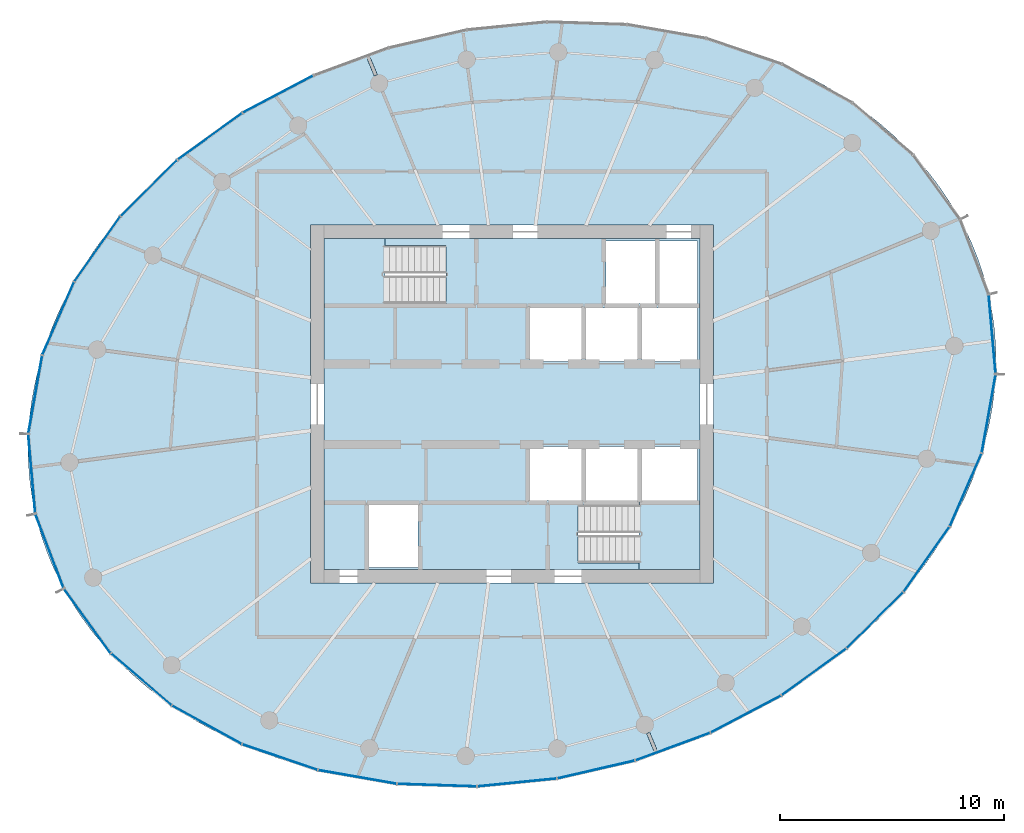
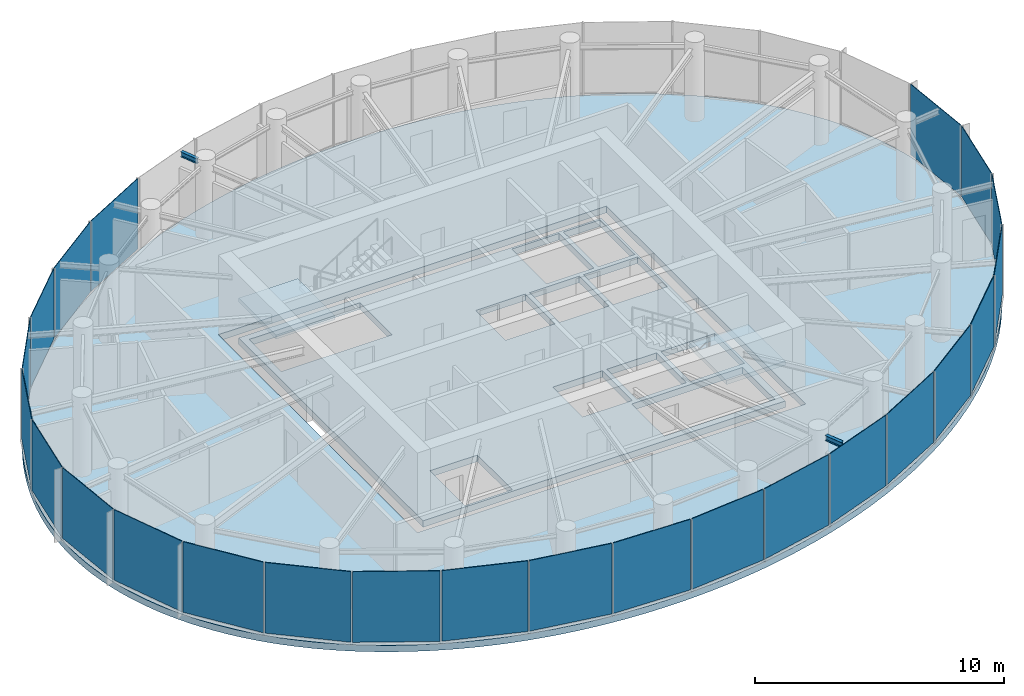
# One storey, part 7 of 13: 24 plates, 4 slabs, 2 beams, 7 elements without a shape of their own.
"""IFC4 building model written with IfcOpenShell, lengths in metres."""

from ifc_helpers import new_model, si_unit, direction, frame, origin, origin_2d, place, context, subcontext, project, spatial, line, indexed_curve, rectangle, i_section, outline, extrude, source, transform, mapped, material, layer, layer_set, material_profile, profile_set, type_object, element, aggregate, save


model = new_model("IFC4")

# Units and contexts
model_context = context("Model", 3, precision=1e-05, world=origin(), true_north=direction((0.0, 1.0)))
body_context = subcontext(model_context, "Body", "Model", "MODEL_VIEW")
ifc_project = project(units=[si_unit("LENGTHUNIT", "METRE"), si_unit("AREAUNIT", "SQUARE_METRE"), si_unit("VOLUMEUNIT", "CUBIC_METRE"), si_unit("PLANEANGLEUNIT", "RADIAN"), si_unit("MASSUNIT", "GRAM", prefix="KILO")], contexts=[model_context])

# Site, building, storey
site_placement = place(None, origin())
site = spatial("IfcSite", under=ifc_project, at=site_placement, CompositionType="ELEMENT")
building_placement = place(site_placement, origin())
building = spatial("IfcBuilding", under=site, at=building_placement, Name="Spindrift Exchange Tower", CompositionType="ELEMENT")
storey_placement = place(building_placement, frame((0.0, 0.0, 261.800048828125)))
storey = spatial("IfcBuildingStorey", under=building, at=storey_placement, Name="L64", CompositionType="ELEMENT", Elevation=261.800048828125)

# Beams
ifc_material_1 = material(Name="Steel Grade 300", Category="steel")
ifc_material_profile = material_profile(ifc_material_1, i_section(OverallWidth=0.14599609375, OverallDepth=0.251953125, WebThickness=0.006103515625, FlangeThickness=0.008544921875, FilletRadius=0.011962890625, at=origin_2d()), Name="250UB31.4")
ifc_profile_set = profile_set([ifc_material_profile], Name="Steel Grade 300")
beam_type = type_object("IfcBeamType", Name="Cantilever Beam 250UB31.4 Steel Grade 300", PredefinedType="BEAM", material=ifc_profile_set)
shared_shape_1 = source(origin(), body_context, "Body", "SweptSolid", [
    extrude(i_section(OverallWidth=0.14599609375, OverallDepth=0.251953125, WebThickness=0.006103515625, FlangeThickness=0.008544921875, FilletRadius=0.011962890625, at=origin_2d()), origin(), (0.0, 0.0, 1.0), 0.82373046875),
])
for number, where, z_axis, x_axis, name in (
    (1, (45.917236328125, 62.68505859375, 3.453857421875), (-0.382657203083, 0.923890396599, 0.0), (-0.923890396599, -0.382657203083, 0.0), "L64 cantilever beam R08T"),
    (2, (58.082763671875, 33.31494140625, 3.453857421875), (0.382657203083, -0.923890396599, 0.0), (0.923890396599, 0.382657203083, 0.0), "L64 cantilever beam R20T"),
):
    element("IfcBeam", number, at=place(storey_placement, frame(where, z_axis=z_axis, x_axis=x_axis)), inside=storey, type_object=beam_type, Name=name, PredefinedType="BEAM", context=body_context, shape_type="MappedRepresentation", body=[
        mapped(shared_shape_1, transform((0.0, 0.0, 0.0), scale=1.0)),
    ])

# Slabs
ifc_material_2 = material(Name="Concrete 40 MPa", Category="concrete")
ifc_layer_1 = layer(ifc_material_2, 0.320068359375)
ifc_layer_set_1 = layer_set([ifc_layer_1], Name="RC Floor Slab 320 Concrete 40 MPa")
slab_type_1 = type_object("IfcSlabType", Name="RC Floor Slab 320 Concrete 40 MPa", PredefinedType="FLOOR", material=ifc_layer_set_1)
slab_1_placement = place(storey_placement, frame((0.0, 0.0, -0.320068359375)))
element("IfcSlab", 3, at=slab_1_placement, inside=storey, type_object=slab_type_1, Name="Floor slab L64", PredefinedType="FLOOR", context=body_context, shape_type="SweptSolid", body=[
    extrude(outline(indexed_curve([(73.302978515625, 52.900390625), (73.222900390625, 53.229736328125), (73.03662109375, 53.881591796875), (72.81640625, 54.5224609375), (72.5634765625, 55.1513671875), (72.4248046875, 55.460693359375), (72.12451171875, 56.068115234375), (71.793701171875, 56.659912109375), (71.617431640625, 56.949462890625), (71.244140625, 57.51513671875), (70.843994140625, 58.062255859375), (70.63427734375, 58.32861328125), (70.197021484375, 58.84619140625), (69.736572265625, 59.34375), (69.498046875, 59.584716796875), (69.006103515625, 60.05078125), (68.49462890625, 60.495849609375), (68.232421875, 60.710205078125), (67.694580078125, 61.123046875), (67.14111328125, 61.514404296875), (66.85888671875, 61.701904296875), (66.2841796875, 62.06103515625), (65.99169921875, 62.232666015625), (65.398193359375, 62.56005859375), (64.79345703125, 62.8662109375), (64.4873046875, 63.011474609375), (64.1787109375, 63.151611328125), (63.5546875, 63.416259765625), (63.239501953125, 63.541015625), (62.603271484375, 63.775146484375), (61.960205078125, 63.989501953125), (61.63623046875, 64.089111328125), (61.31103515625, 64.18408203125), (60.656005859375, 64.359130859375), (59.6650390625, 64.586181640625), (58.665283203125, 64.770751953125), (57.65869140625, 64.9140625), (56.647216796875, 65.016845703125), (55.63232421875, 65.079833984375), (54.61572265625, 65.103759765625), (53.59912109375, 65.08935546875), (52.583740234375, 65.037109375), (51.571044921875, 64.94775390625), (50.56201171875, 64.82177734375), (49.892333984375, 64.71728515625), (49.22509765625, 64.59716796875), (48.23046875, 64.386962890625), (47.24365234375, 64.141357421875), (46.591064453125, 63.9580078125), (45.943115234375, 63.75927734375), (44.98046875, 63.431884765625), (44.030517578125, 63.069580078125), (43.09423828125, 62.6728515625), (42.173583984375, 62.24169921875), (41.269775390625, 61.77587890625), (40.384521484375, 61.27587890625), (39.51953125, 60.741455078125), (38.6767578125, 60.172607421875), (37.858154296875, 59.569580078125), (37.065673828125, 58.9326171875), (36.302001953125, 58.261474609375), (36.05419921875, 58.0302734375), (35.5693359375, 57.556396484375), (35.099609375, 57.06787109375), (34.87060546875, 56.81787109375), (34.425048828125, 56.30712890625), (34.208740234375, 56.046142578125), (33.99658203125, 55.78173828125), (33.58642578125, 55.2421875), (33.195556640625, 54.6884765625), (33.007568359375, 54.40625), (32.6474609375, 53.83203125), (32.4755859375, 53.5400390625), (32.148681640625, 52.9462890625), (31.845458984375, 52.33984375), (31.703125, 52.0322265625), (31.437744140625, 51.40869140625), (31.19873046875, 50.7744140625), (31.089599609375, 50.45361328125), (30.892822265625, 49.804931640625), (30.805419921875, 49.477294921875), (30.653564453125, 48.81689453125), (30.53271484375, 48.14990234375), (30.44384765625, 47.477783203125), (30.411865234375, 47.140380859375), (30.373046875, 46.4638671875), (30.3681640625, 45.7861328125), (30.378662109375, 45.447265625), (30.42578125, 44.77099609375), (30.462646484375, 44.43408203125), (30.562255859375, 43.763916015625), (30.697021484375, 43.099609375), (30.777099609375, 42.770263671875), (30.96337890625, 42.118408203125), (31.18359375, 41.4775390625), (31.4365234375, 40.8486328125), (31.5751953125, 40.539306640625), (31.87548828125, 39.931884765625), (32.206298828125, 39.340087890625), (32.382568359375, 39.050537109375), (32.755859375, 38.48486328125), (33.156005859375, 37.937744140625), (33.36572265625, 37.67138671875), (33.802978515625, 37.15380859375), (34.263427734375, 36.65625), (34.501953125, 36.415283203125), (34.993896484375, 35.94921875), (35.50537109375, 35.504150390625), (35.767578125, 35.289794921875), (36.305419921875, 34.876953125), (36.85888671875, 34.485595703125), (37.14111328125, 34.298095703125), (37.7158203125, 33.93896484375), (38.00830078125, 33.767333984375), (38.601806640625, 33.43994140625), (39.20654296875, 33.1337890625), (39.5126953125, 32.988525390625), (39.8212890625, 32.848388671875), (40.4453125, 32.583740234375), (40.760498046875, 32.458984375), (41.396728515625, 32.224853515625), (42.039794921875, 32.010498046875), (42.36376953125, 31.910888671875), (42.68896484375, 31.81591796875), (43.343994140625, 31.640869140625), (44.3349609375, 31.413818359375), (45.334716796875, 31.229248046875), (46.34130859375, 31.0859375), (47.352783203125, 30.983154296875), (48.36767578125, 30.920166015625), (49.38427734375, 30.896240234375), (50.40087890625, 30.91064453125), (51.416259765625, 30.962890625), (52.428955078125, 31.05224609375), (53.43798828125, 31.17822265625), (54.107666015625, 31.28271484375), (54.77490234375, 31.40283203125), (55.76953125, 31.613037109375), (56.75634765625, 31.858642578125), (57.408935546875, 32.0419921875), (58.056884765625, 32.24072265625), (59.01953125, 32.568115234375), (59.969482421875, 32.930419921875), (60.90576171875, 33.3271484375), (61.826416015625, 33.75830078125), (62.730224609375, 34.22412109375), (63.615478515625, 34.72412109375), (64.48046875, 35.258544921875), (65.3232421875, 35.827392578125), (66.141845703125, 36.430419921875), (66.934326171875, 37.0673828125), (67.697998046875, 37.738525390625), (67.94580078125, 37.9697265625), (68.4306640625, 38.443603515625), (68.900390625, 38.93212890625), (69.12939453125, 39.18212890625), (69.574951171875, 39.69287109375), (69.791259765625, 39.953857421875), (70.00341796875, 40.21826171875), (70.41357421875, 40.7578125), (70.804443359375, 41.3115234375), (70.992431640625, 41.59375), (71.3525390625, 42.16796875), (71.5244140625, 42.4599609375), (71.851318359375, 43.0537109375), (72.154541015625, 43.66015625), (72.296875, 43.9677734375), (72.562255859375, 44.59130859375), (72.80126953125, 45.2255859375), (72.910400390625, 45.54638671875), (73.107177734375, 46.195068359375), (73.194580078125, 46.522705078125), (73.346435546875, 47.18310546875), (73.46728515625, 47.85009765625), (73.55615234375, 48.522216796875), (73.588134765625, 48.859619140625), (73.626953125, 49.5361328125), (73.6318359375, 50.2138671875), (73.621337890625, 50.552734375), (73.57421875, 51.22900390625), (73.537353515625, 51.56591796875), (73.437744140625, 52.236083984375)], segments=[line(1, 2, 3, 4, 5, 6, 7, 8, 9, 10, 11, 12, 13, 14, 15, 16, 17, 18, 19, 20, 21, 22, 23, 24, 25, 26, 27, 28, 29, 30, 31, 32, 33, 34, 35, 36, 37, 38, 39, 40, 41, 42, 43, 44, 45, 46, 47, 48, 49, 50, 51, 52, 53, 54, 55, 56, 57, 58, 59, 60, 61, 62, 63, 64, 65, 66, 67, 68, 69, 70, 71, 72, 73, 74, 75, 76, 77, 78, 79, 80, 81, 82, 83, 84, 85, 86, 87, 88, 89, 90, 91, 92, 93, 94, 95, 96, 97, 98, 99, 100, 101, 102, 103, 104, 105, 106, 107, 108, 109, 110, 111, 112, 113, 114, 115, 116, 117, 118, 119, 120, 121, 122, 123, 124, 125, 126, 127, 128, 129, 130, 131, 132, 133, 134, 135, 136, 137, 138, 139, 140, 141, 142, 143, 144, 145, 146, 147, 148, 149, 150, 151, 152, 153, 154, 155, 156, 157, 158, 159, 160, 161, 162, 163, 164, 165, 166, 167, 168, 169, 170, 171, 172, 173, 174, 175, 176, 177, 178, 179, 180, 181, 182, 1)], self_intersect=False), holes=[indexed_curve([(43.0, 40.0), (61.0, 40.0), (61.0, 56.0), (43.0, 56.0)], segments=[line(1, 2, 3, 4, 1)], self_intersect=False)]), origin(), (0.0, 0.0, 1.0), 0.320068359375),
])
ifc_material_3 = material(Name="Concrete 50 MPa", Category="concrete")
ifc_layer_2 = layer(ifc_material_3, 0.320068359375)
ifc_layer_set_2 = layer_set([ifc_layer_2], Name="SL-CORE-FLOOR-320")
slab_type_2 = type_object("IfcSlabType", Name="SL-CORE-FLOOR-320", PredefinedType="FLOOR", material=ifc_layer_set_2)
slab_2_placement = place(storey_placement, frame((0.0, 0.0, -0.320068359375)))
element("IfcSlab", 4, at=slab_2_placement, inside=storey, type_object=slab_type_2, Name="L64 Core floor slab", PredefinedType="FLOOR", context=body_context, shape_type="SweptSolid", body=[
    extrude(outline(indexed_curve([(43.60009765625, 40.60009765625), (43.60009765625, 55.39990234375), (60.39990234375, 55.39990234375), (60.39990234375, 40.60009765625)], segments=[line(1, 2, 3, 4, 1)], self_intersect=False), holes=[indexed_curve([(45.60009765625, 43.5), (45.60009765625, 40.699951171875), (47.800048828125, 40.699951171875), (47.800048828125, 43.5)], segments=[line(1, 2, 3, 4, 1)], self_intersect=False), indexed_curve([(52.800048828125, 46.10009765625), (52.800048828125, 43.699951171875), (55.10009765625, 43.699951171875), (55.10009765625, 46.10009765625)], segments=[line(1, 2, 3, 4, 1)], self_intersect=False), indexed_curve([(55.300048828125, 46.10009765625), (55.300048828125, 43.699951171875), (57.60009765625, 43.699951171875), (57.60009765625, 46.10009765625)], segments=[line(1, 2, 3, 4, 1)], self_intersect=False), indexed_curve([(55.10009765625, 52.300048828125), (52.800048828125, 52.300048828125), (52.800048828125, 49.89990234375), (55.10009765625, 49.89990234375)], segments=[line(1, 2, 3, 4, 1)], self_intersect=False), indexed_curve([(57.60009765625, 52.300048828125), (55.300048828125, 52.300048828125), (55.300048828125, 49.89990234375), (57.60009765625, 49.89990234375)], segments=[line(1, 2, 3, 4, 1)], self_intersect=False), indexed_curve([(43.906005859375, 52.506103515625), (49.0439453125, 52.506103515625), (49.0439453125, 55.093994140625), (43.906005859375, 55.093994140625)], segments=[line(1, 2, 3, 4, 1)], self_intersect=False), indexed_curve([(60.093994140625, 40.906005859375), (60.093994140625, 43.493896484375), (54.9560546875, 43.493896484375), (54.9560546875, 40.906005859375)], segments=[line(1, 2, 3, 4, 1)], self_intersect=False), indexed_curve([(60.300048828125, 46.10009765625), (57.800048828125, 46.10009765625), (57.800048828125, 43.699951171875), (60.300048828125, 43.699951171875)], segments=[line(1, 2, 3, 4, 1)], self_intersect=False), indexed_curve([(57.800048828125, 52.300048828125), (57.800048828125, 49.89990234375), (60.300048828125, 49.89990234375), (60.300048828125, 52.300048828125)], segments=[line(1, 2, 3, 4, 1)], self_intersect=False), indexed_curve([(58.39990234375, 55.300048828125), (56.199951171875, 55.300048828125), (56.199951171875, 52.5), (58.39990234375, 52.5)], segments=[line(1, 2, 3, 4, 1)], self_intersect=False), indexed_curve([(60.300048828125, 55.300048828125), (58.60009765625, 55.300048828125), (58.60009765625, 52.5), (60.300048828125, 52.5)], segments=[line(1, 2, 3, 4, 1)], self_intersect=False)]), origin(), (0.0, 0.0, 1.0), 0.320068359375),
])

# Stair, slab
stair_type = type_object("IfcStairType", Name="ST-1250-R177", PredefinedType="HALF_TURN_STAIR", material=ifc_material_3)
stair_1_placement = place(storey_placement, origin())
stair_1 = element("IfcStair", 5, at=stair_1_placement, inside=storey, type_object=stair_type, Name="L64 Exit stair ST1", PredefinedType="HALF_TURN_STAIR")
ifc_layer_3 = layer(ifc_material_3, 0.199951171875)
ifc_layer_set_3 = layer_set([ifc_layer_3], Name="SL-LANDING")
slab_type_3 = type_object("IfcSlabType", Name="SL-LANDING", PredefinedType="LANDING", material=ifc_layer_set_3)
slab_3_placement = place(storey_placement, frame((0.0, 0.0, 1.75)))
slab_3 = element("IfcSlab", 6, at=slab_3_placement, type_object=slab_type_3, Name="ST1 landing 1", PredefinedType="LANDING", context=body_context, shape_type="SweptSolid", body=[
    extrude(outline(indexed_curve([(46.330078125, 52.39990234375), (43.60009765625, 52.39990234375), (43.60009765625, 55.39990234375), (46.330078125, 55.39990234375)], segments=[line(1, 2, 3, 4, 1)], self_intersect=False)), origin(), (0.0, 0.0, 1.0), 0.199951171875),
])
aggregate(stair_1, [slab_3])

stair_2_placement = place(storey_placement, origin())
stair_2 = element("IfcStair", 7, at=stair_2_placement, inside=storey, type_object=stair_type, Name="L64 Exit stair ST2", PredefinedType="HALF_TURN_STAIR")
slab_4_placement = place(storey_placement, frame((0.0, 0.0, 1.75)))
slab_4 = element("IfcSlab", 8, at=slab_4_placement, type_object=slab_type_3, Name="ST2 landing 1", PredefinedType="LANDING", context=body_context, shape_type="SweptSolid", body=[
    extrude(outline(indexed_curve([(57.669921875, 43.60009765625), (60.39990234375, 43.60009765625), (60.39990234375, 40.60009765625), (57.669921875, 40.60009765625)], segments=[line(1, 2, 3, 4, 1)], self_intersect=False)), origin(), (0.0, 0.0, 1.0), 0.199951171875),
])
aggregate(stair_2, [slab_4])

# Curtain wall, plate
ifc_material_4 = material(Name="Fritted laminated glass with bronze frame", Category="glass")
ifc_layer_4 = layer(ifc_material_4, 0.159912109375)
ifc_layer_set_4 = layer_set([ifc_layer_4], Name="ZONE 5 BRONZE FRITTED WALL")
curtain_wall_type = type_object("IfcCurtainWallType", Name="ZONE 5 BRONZE FRITTED WALL", PredefinedType="NOTDEFINED", material=ifc_layer_set_4)
curtain_wall_1_placement = place(storey_placement, origin())
curtain_wall_1 = element("IfcCurtainWall", 9, at=curtain_wall_1_placement, inside=storey, type_object=curtain_wall_type, Name="L64 Zone 5 Bronze Fritted Wall run 2", PredefinedType="NOTDEFINED")
ifc_material_5 = material(Name="Bronze fritted laminated glass, open frit", Category="glass")
ifc_layer_5 = layer(ifc_material_5, 0.028076171875)
ifc_layer_set_5 = layer_set([ifc_layer_5], Name="ZONE 5 BRONZE FRITTED WALL PANEL OPEN FRIT 480")
plate_type_1 = type_object("IfcPlateType", Name="ZONE 5 BRONZE FRITTED WALL PANEL OPEN FRIT 480", PredefinedType="CURTAIN_PANEL", material=ifc_layer_set_5)
shared_shape_2 = source(origin(), body_context, "Body", "SweptSolid", [
    extrude(rectangle(XDim=3.52587890625, YDim=0.028076171875, at=origin_2d()), origin(), (0.0, 0.0, 1.0), 3.4599609375),
])
plate_1_placement = place(storey_placement, frame((41.544189453125, 61.853515625, 0.119873046875), z_axis=(0.0, 0.0, 1.0), x_axis=(-0.884797403412, -0.46597591667, 0.0)))
plate_1 = element("IfcPlate", 10, at=plate_1_placement, type_object=plate_type_1, Name="L64 panel CW-5.11", PredefinedType="CURTAIN_PANEL", context=body_context, shape_type="MappedRepresentation", body=[
    mapped(shared_shape_2, transform((0.0, 0.0, 0.0), scale=1.0)),
])

# Curtain wall, plates
curtain_wall_2_placement = place(storey_placement, origin())
curtain_wall_2 = element("IfcCurtainWall", 11, at=curtain_wall_2_placement, inside=storey, type_object=curtain_wall_type, Name="L64 Zone 5 Bronze Fritted Wall run 5", PredefinedType="NOTDEFINED")
ifc_layer_6 = layer(ifc_material_5, 0.028076171875)
ifc_layer_set_6 = layer_set([ifc_layer_6], Name="ZONE 5 BRONZE FRITTED WALL PANEL OPEN FRIT 360")
plate_type_2 = type_object("IfcPlateType", Name="ZONE 5 BRONZE FRITTED WALL PANEL OPEN FRIT 360", PredefinedType="CURTAIN_PANEL", material=ifc_layer_set_6)
shared_shape_3 = source(origin(), body_context, "Body", "SweptSolid", [
    extrude(rectangle(XDim=3.5263671875, YDim=0.028076171875, at=origin_2d()), origin(), (0.0, 0.0, 1.0), 3.4599609375),
])
plate_2_placement = place(storey_placement, frame((55.757080078125, 31.668212890625, 0.119873046875), z_axis=(0.0, 0.0, 1.0), x_axis=(0.974547614212, 0.224180613866, 0.0)))
plate_2 = element("IfcPlate", 12, at=plate_2_placement, type_object=plate_type_2, Name="L64 panel CW-5.26", PredefinedType="CURTAIN_PANEL", context=body_context, shape_type="MappedRepresentation", body=[
    mapped(shared_shape_3, transform((0.0, 0.0, 0.0), scale=1.0)),
])
ifc_layer_7 = layer(ifc_material_5, 0.028076171875)
ifc_layer_set_7 = layer_set([ifc_layer_7], Name="ZONE 5 BRONZE FRITTED WALL PANEL OPEN FRIT 600")
plate_type_3 = type_object("IfcPlateType", Name="ZONE 5 BRONZE FRITTED WALL PANEL OPEN FRIT 600", PredefinedType="CURTAIN_PANEL", material=ifc_layer_set_7)
shared_shape_4 = source(origin(), body_context, "Body", "SweptSolid", [
    extrude(rectangle(XDim=3.5263671875, YDim=0.028076171875, at=origin_2d()), origin(), (0.0, 0.0, 1.0), 3.4599609375),
])
plate_3_placement = place(storey_placement, frame((59.18701171875, 32.690673828125, 0.119873046875), z_axis=(0.0, 0.0, 1.0), x_axis=(0.938249315223, 0.345959856753, 0.0)))
plate_3 = element("IfcPlate", 13, at=plate_3_placement, type_object=plate_type_3, Name="L64 panel CW-5.27", PredefinedType="CURTAIN_PANEL", context=body_context, shape_type="MappedRepresentation", body=[
    mapped(shared_shape_4, transform((0.0, 0.0, 0.0), scale=1.0)),
])
shared_shape_5 = source(origin(), body_context, "Body", "SweptSolid", [
    extrude(rectangle(XDim=3.526123046875, YDim=0.028076171875, at=origin_2d()), origin(), (0.0, 0.0, 1.0), 3.4599609375),
])
plate_4_placement = place(storey_placement, frame((52.22509765625, 31.089111328125, 0.119873046875), z_axis=(0.0, 0.0, 1.0), x_axis=(0.995110713001, 0.098765727208, 0.0)))
plate_4 = element("IfcPlate", 14, at=plate_4_placement, type_object=plate_type_1, Name="L64 panel CW-5.25", PredefinedType="CURTAIN_PANEL", context=body_context, shape_type="MappedRepresentation", body=[
    mapped(shared_shape_5, transform((0.0, 0.0, 0.0), scale=1.0)),
])

# Plate
shared_shape_6 = source(origin(), body_context, "Body", "SweptSolid", [
    extrude(rectangle(XDim=3.525390625, YDim=0.028076171875, at=origin_2d()), origin(), (0.0, 0.0, 1.0), 3.4599609375),
])
plate_5_placement = place(storey_placement, frame((38.504150390625, 59.968994140625, 0.119873046875), z_axis=(0.0, 0.0, 1.0), x_axis=(-0.810853452161, -0.585249245295, 0.0)))
plate_5 = element("IfcPlate", 15, at=plate_5_placement, type_object=plate_type_3, Name="L64 panel CW-5.12", PredefinedType="CURTAIN_PANEL", context=body_context, shape_type="MappedRepresentation", body=[
    mapped(shared_shape_6, transform((0.0, 0.0, 0.0), scale=1.0)),
])

aggregate(curtain_wall_1, [plate_1, plate_5])

# Curtain wall, plates
curtain_wall_3_placement = place(storey_placement, origin())
curtain_wall_3 = element("IfcCurtainWall", 16, at=curtain_wall_3_placement, inside=storey, type_object=curtain_wall_type, Name="L64 Zone 5 Bronze Fritted Wall run 4", PredefinedType="NOTDEFINED")
shared_shape_7 = source(origin(), body_context, "Body", "SweptSolid", [
    extrude(rectangle(XDim=3.524658203125, YDim=0.028076171875, at=origin_2d()), origin(), (0.0, 0.0, 1.0), 3.4599609375),
])
plate_6_placement = place(storey_placement, frame((41.627685546875, 32.222900390625, 0.119873046875), z_axis=(0.0, 0.0, 1.0), x_axis=(0.9466981832, -0.322121948842, 0.0)))
plate_6 = element("IfcPlate", 17, at=plate_6_placement, type_object=plate_type_2, Name="L64 panel CW-5.22", PredefinedType="CURTAIN_PANEL", context=body_context, shape_type="MappedRepresentation", body=[
    mapped(shared_shape_7, transform((0.0, 0.0, 0.0), scale=1.0)),
])
shared_shape_8 = source(origin(), body_context, "Body", "SweptSolid", [
    extrude(rectangle(XDim=3.521484375, YDim=0.028076171875, at=origin_2d()), origin(), (0.0, 0.0, 1.0), 3.4599609375),
])
plate_7_placement = place(storey_placement, frame((35.43212890625, 35.694580078125, 0.119873046875), z_axis=(0.0, 0.0, 1.0), x_axis=(0.75991834621, -0.650018543653, 0.0)))
plate_7 = element("IfcPlate", 18, at=plate_7_placement, type_object=plate_type_2, Name="L64 panel CW-5.20", PredefinedType="CURTAIN_PANEL", context=body_context, shape_type="MappedRepresentation", body=[
    mapped(shared_shape_8, transform((0.0, 0.0, 0.0), scale=1.0)),
])

# Curtain wall, plate
curtain_wall_4_placement = place(storey_placement, origin())
curtain_wall_4 = element("IfcCurtainWall", 19, at=curtain_wall_4_placement, inside=storey, type_object=curtain_wall_type, Name="L64 Zone 5 Bronze Fritted Wall run 6", PredefinedType="NOTDEFINED")
plate_8_placement = place(storey_placement, frame((72.279541015625, 44.1708984375, 0.119873046875), z_axis=(0.0, 0.0, 1.0), x_axis=(0.399496403409, 0.916734761893, 0.0)))
plate_8 = element("IfcPlate", 20, at=plate_8_placement, type_object=plate_type_2, Name="L64 panel CW-5.32", PredefinedType="CURTAIN_PANEL", context=body_context, shape_type="MappedRepresentation", body=[
    mapped(shared_shape_8, transform((0.0, 0.0, 0.0), scale=1.0)),
])

# Curtain wall, plates
curtain_wall_5_placement = place(storey_placement, origin())
curtain_wall_5 = element("IfcCurtainWall", 21, at=curtain_wall_5_placement, inside=storey, type_object=curtain_wall_type, Name="L64 Zone 5 Bronze Fritted Wall run 3", PredefinedType="NOTDEFINED")
shared_shape_9 = source(origin(), body_context, "Body", "SweptSolid", [
    extrude(rectangle(XDim=3.519287109375, YDim=0.028076171875, at=origin_2d()), origin(), (0.0, 0.0, 1.0), 3.4599609375),
])
plate_9_placement = place(storey_placement, frame((30.693115234375, 48.42529296875, 0.119873046875), z_axis=(0.0, 0.0, 1.0), x_axis=(-0.174388937205, -0.984676849825, 0.0)))
plate_9 = element("IfcPlate", 22, at=plate_9_placement, type_object=plate_type_2, Name="L64 panel CW-5.16", PredefinedType="CURTAIN_PANEL", context=body_context, shape_type="MappedRepresentation", body=[
    mapped(shared_shape_9, transform((0.0, 0.0, 0.0), scale=1.0)),
])
shared_shape_10 = source(origin(), body_context, "Body", "SweptSolid", [
    extrude(rectangle(XDim=3.5234375, YDim=0.028076171875, at=origin_2d()), origin(), (0.0, 0.0, 1.0), 3.4599609375),
])
plate_10_placement = place(storey_placement, frame((33.46923828125, 54.9345703125, 0.119873046875), z_axis=(0.0, 0.0, 1.0), x_axis=(-0.576707537532, -0.816950681592, 0.0)))
plate_10 = element("IfcPlate", 23, at=plate_10_placement, type_object=plate_type_2, Name="L64 panel CW-5.14", PredefinedType="CURTAIN_PANEL", context=body_context, shape_type="MappedRepresentation", body=[
    mapped(shared_shape_10, transform((0.0, 0.0, 0.0), scale=1.0)),
])

# Plate
plate_11_placement = place(storey_placement, frame((38.36181640625, 33.665283203125, 0.119873046875), z_axis=(0.0, 0.0, 1.0), x_axis=(0.875697227796, -0.482860606418, 0.0)))
plate_11 = element("IfcPlate", 24, at=plate_11_placement, type_object=plate_type_2, Name="L64 panel CW-5.21", PredefinedType="CURTAIN_PANEL", context=body_context, shape_type="MappedRepresentation", body=[
    mapped(shared_shape_10, transform((0.0, 0.0, 0.0), scale=1.0)),
])

shared_shape_11 = source(origin(), body_context, "Body", "SweptSolid", [
    extrude(rectangle(XDim=3.524658203125, YDim=0.028076171875, at=origin_2d()), origin(), (0.0, 0.0, 1.0), 3.4599609375),
])
plate_12_placement = place(storey_placement, frame((35.776611328125, 57.658935546875, 0.119873046875), z_axis=(0.0, 0.0, 1.0), x_axis=(-0.710806839766, -0.703387259297, 0.0)))
plate_12 = element("IfcPlate", 25, at=plate_12_placement, type_object=plate_type_3, Name="L64 panel CW-5.13", PredefinedType="CURTAIN_PANEL", context=body_context, shape_type="MappedRepresentation", body=[
    mapped(shared_shape_11, transform((0.0, 0.0, 0.0), scale=1.0)),
])

shared_shape_12 = source(origin(), body_context, "Body", "SweptSolid", [
    extrude(rectangle(XDim=3.517578125, YDim=0.028076171875, at=origin_2d()), origin(), (0.0, 0.0, 1.0), 3.4599609375),
])
plate_13_placement = place(storey_placement, frame((73.461181640625, 51.118896484375, 0.119873046875), z_axis=(0.0, 0.0, 1.0), x_axis=(-0.08833103473, 0.996091174694, 0.0)))
plate_13 = element("IfcPlate", 26, at=plate_13_placement, type_object=plate_type_2, Name="L64 panel CW-5.34", PredefinedType="CURTAIN_PANEL", context=body_context, shape_type="MappedRepresentation", body=[
    mapped(shared_shape_12, transform((0.0, 0.0, 0.0), scale=1.0)),
])

shared_shape_13 = source(origin(), body_context, "Body", "SweptSolid", [
    extrude(rectangle(XDim=3.519287109375, YDim=0.028076171875, at=origin_2d()), origin(), (0.0, 0.0, 1.0), 3.4599609375),
])
plate_14_placement = place(storey_placement, frame((33.0205078125, 38.307373046875, 0.119873046875), z_axis=(0.0, 0.0, 1.0), x_axis=(0.587129891145, -0.809492736795, 0.0)))
plate_14 = element("IfcPlate", 27, at=plate_14_placement, type_object=plate_type_1, Name="L64 panel CW-5.19", PredefinedType="CURTAIN_PANEL", context=body_context, shape_type="MappedRepresentation", body=[
    mapped(shared_shape_13, transform((0.0, 0.0, 0.0), scale=1.0)),
])

plate_15_placement = place(storey_placement, frame((73.306884765625, 47.57470703125, 0.119873046875), z_axis=(0.0, 0.0, 1.0), x_axis=(0.174388937205, 0.984676849825, 0.0)))
plate_15 = element("IfcPlate", 28, at=plate_15_placement, type_object=plate_type_1, Name="L64 panel CW-5.33", PredefinedType="CURTAIN_PANEL", context=body_context, shape_type="MappedRepresentation", body=[
    mapped(shared_shape_13, transform((0.0, 0.0, 0.0), scale=1.0)),
])

shared_shape_14 = source(origin(), body_context, "Body", "SweptSolid", [
    extrude(rectangle(XDim=3.521484375, YDim=0.028076171875, at=origin_2d()), origin(), (0.0, 0.0, 1.0), 3.4599609375),
])
plate_16_placement = place(storey_placement, frame((31.720458984375, 51.8291015625, 0.119873046875), z_axis=(0.0, 0.0, 1.0), x_axis=(-0.399496403409, -0.916734761893, 0.0)))
plate_16 = element("IfcPlate", 29, at=plate_16_placement, type_object=plate_type_1, Name="L64 panel CW-5.15", PredefinedType="CURTAIN_PANEL", context=body_context, shape_type="MappedRepresentation", body=[
    mapped(shared_shape_14, transform((0.0, 0.0, 0.0), scale=1.0)),
])

shared_shape_15 = source(origin(), body_context, "Body", "SweptSolid", [
    extrude(rectangle(XDim=3.517578125, YDim=0.028076171875, at=origin_2d()), origin(), (0.0, 0.0, 1.0), 3.4599609375),
])
plate_17_placement = place(storey_placement, frame((30.538818359375, 44.881103515625, 0.119873046875), z_axis=(0.0, 0.0, 1.0), x_axis=(0.08833103473, -0.996091174694, 0.0)))
plate_17 = element("IfcPlate", 30, at=plate_17_placement, type_object=plate_type_3, Name="L64 panel CW-5.17", PredefinedType="CURTAIN_PANEL", context=body_context, shape_type="MappedRepresentation", body=[
    mapped(shared_shape_15, transform((0.0, 0.0, 0.0), scale=1.0)),
])

plate_18_placement = place(storey_placement, frame((31.333251953125, 41.427734375, 0.119873046875), z_axis=(0.0, 0.0, 1.0), x_axis=(0.355797023317, -0.934563255322, 0.0)))
plate_18 = element("IfcPlate", 31, at=plate_18_placement, type_object=plate_type_3, Name="L64 panel CW-5.18", PredefinedType="CURTAIN_PANEL", context=body_context, shape_type="MappedRepresentation", body=[
    mapped(shared_shape_15, transform((0.0, 0.0, 0.0), scale=1.0)),
])

aggregate(curtain_wall_5, [plate_12, plate_10, plate_16, plate_9, plate_17, plate_18])

shared_shape_16 = source(origin(), body_context, "Body", "SweptSolid", [
    extrude(rectangle(XDim=3.5234375, YDim=0.028076171875, at=origin_2d()), origin(), (0.0, 0.0, 1.0), 3.4599609375),
])
plate_19_placement = place(storey_placement, frame((70.53076171875, 41.0654296875, 0.119873046875), z_axis=(0.0, 0.0, 1.0), x_axis=(0.576707537532, 0.816950681592, 0.0)))
plate_19 = element("IfcPlate", 32, at=plate_19_placement, type_object=plate_type_3, Name="L64 panel CW-5.31", PredefinedType="CURTAIN_PANEL", context=body_context, shape_type="MappedRepresentation", body=[
    mapped(shared_shape_16, transform((0.0, 0.0, 0.0), scale=1.0)),
])

aggregate(curtain_wall_4, [plate_19, plate_8, plate_15, plate_13])

shared_shape_17 = source(origin(), body_context, "Body", "SweptSolid", [
    extrude(rectangle(XDim=3.524658203125, YDim=0.028076171875, at=origin_2d()), origin(), (0.0, 0.0, 1.0), 3.4599609375),
])
plate_20_placement = place(storey_placement, frame((68.223388671875, 38.341064453125, 0.119873046875), z_axis=(0.0, 0.0, 1.0), x_axis=(0.710806839766, 0.703387259297, 0.0)))
plate_20 = element("IfcPlate", 33, at=plate_20_placement, type_object=plate_type_1, Name="L64 panel CW-5.30", PredefinedType="CURTAIN_PANEL", context=body_context, shape_type="MappedRepresentation", body=[
    mapped(shared_shape_17, transform((0.0, 0.0, 0.0), scale=1.0)),
])

shared_shape_18 = source(origin(), body_context, "Body", "SweptSolid", [
    extrude(rectangle(XDim=3.52587890625, YDim=0.028076171875, at=origin_2d()), origin(), (0.0, 0.0, 1.0), 3.4599609375),
])
plate_21_placement = place(storey_placement, frame((48.648681640625, 30.97021484375, 0.119873046875), z_axis=(0.0, 0.0, 1.0), x_axis=(0.99947215559, -0.032487077436, 0.0)))
plate_21 = element("IfcPlate", 34, at=plate_21_placement, type_object=plate_type_2, Name="L64 panel CW-5.24", PredefinedType="CURTAIN_PANEL", context=body_context, shape_type="MappedRepresentation", body=[
    mapped(shared_shape_18, transform((0.0, 0.0, 0.0), scale=1.0)),
])

plate_22_placement = place(storey_placement, frame((62.455810546875, 34.146484375, 0.119873046875), z_axis=(0.0, 0.0, 1.0), x_axis=(0.884797403412, 0.46597591667, 0.0)))
plate_22 = element("IfcPlate", 35, at=plate_22_placement, type_object=plate_type_2, Name="L64 panel CW-5.28", PredefinedType="CURTAIN_PANEL", context=body_context, shape_type="MappedRepresentation", body=[
    mapped(shared_shape_18, transform((0.0, 0.0, 0.0), scale=1.0)),
])

shared_shape_19 = source(origin(), body_context, "Body", "SweptSolid", [
    extrude(rectangle(XDim=3.525390625, YDim=0.028076171875, at=origin_2d()), origin(), (0.0, 0.0, 1.0), 3.4599609375),
])
plate_23_placement = place(storey_placement, frame((65.495849609375, 36.031005859375, 0.119873046875), z_axis=(0.0, 0.0, 1.0), x_axis=(0.810853452161, 0.585249245295, 0.0)))
plate_23 = element("IfcPlate", 36, at=plate_23_placement, type_object=plate_type_2, Name="L64 panel CW-5.29", PredefinedType="CURTAIN_PANEL", context=body_context, shape_type="MappedRepresentation", body=[
    mapped(shared_shape_19, transform((0.0, 0.0, 0.0), scale=1.0)),
])

aggregate(curtain_wall_2, [plate_4, plate_2, plate_3, plate_22, plate_23, plate_20])

shared_shape_20 = source(origin(), body_context, "Body", "SweptSolid", [
    extrude(rectangle(XDim=3.525634765625, YDim=0.028076171875, at=origin_2d()), origin(), (0.0, 0.0, 1.0), 3.4599609375),
])
plate_24_placement = place(storey_placement, frame((45.090576171875, 31.337158203125, 0.119873046875), z_axis=(0.0, 0.0, 1.0), x_axis=(0.98507870311, -0.172104470247, 0.0)))
plate_24 = element("IfcPlate", 37, at=plate_24_placement, type_object=plate_type_3, Name="L64 panel CW-5.23", PredefinedType="CURTAIN_PANEL", context=body_context, shape_type="MappedRepresentation", body=[
    mapped(shared_shape_20, transform((0.0, 0.0, 0.0), scale=1.0)),
])

aggregate(curtain_wall_3, [plate_14, plate_7, plate_11, plate_6, plate_24, plate_21])

save(model, "model.ifc")
